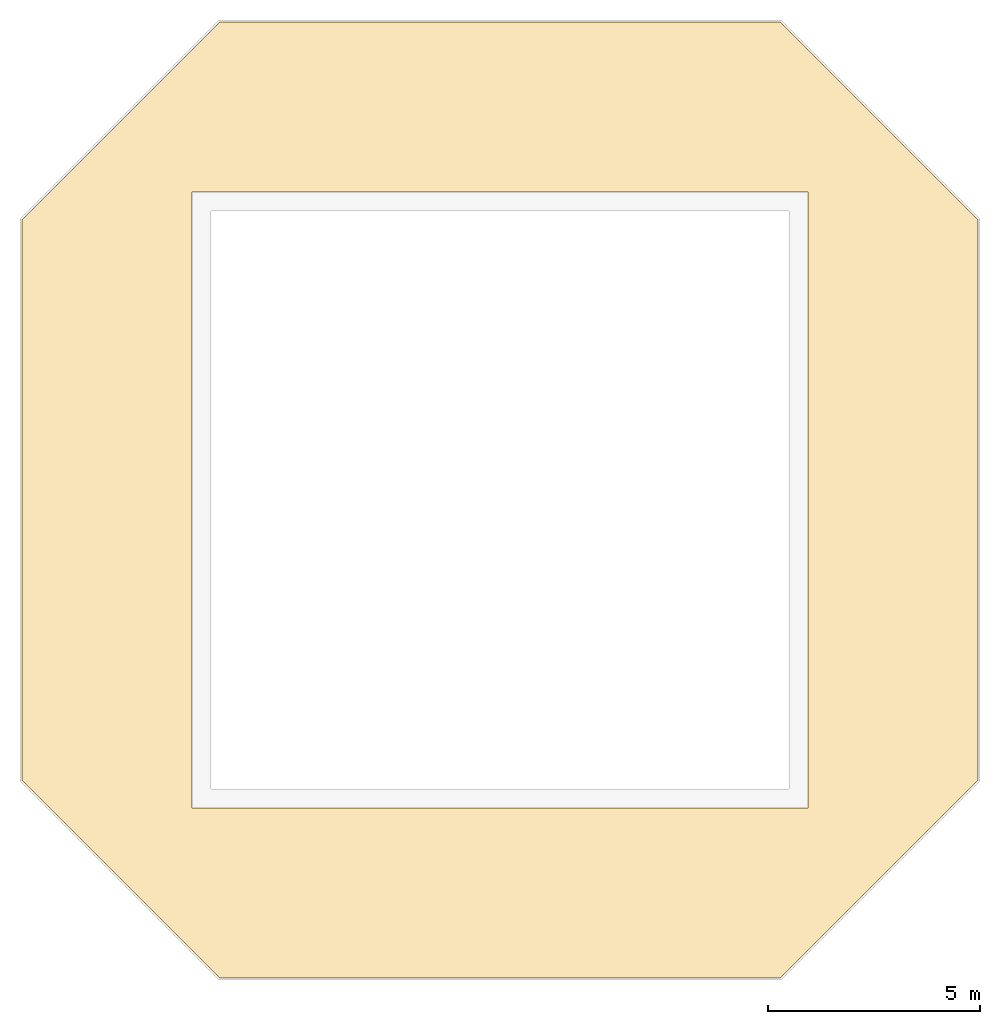
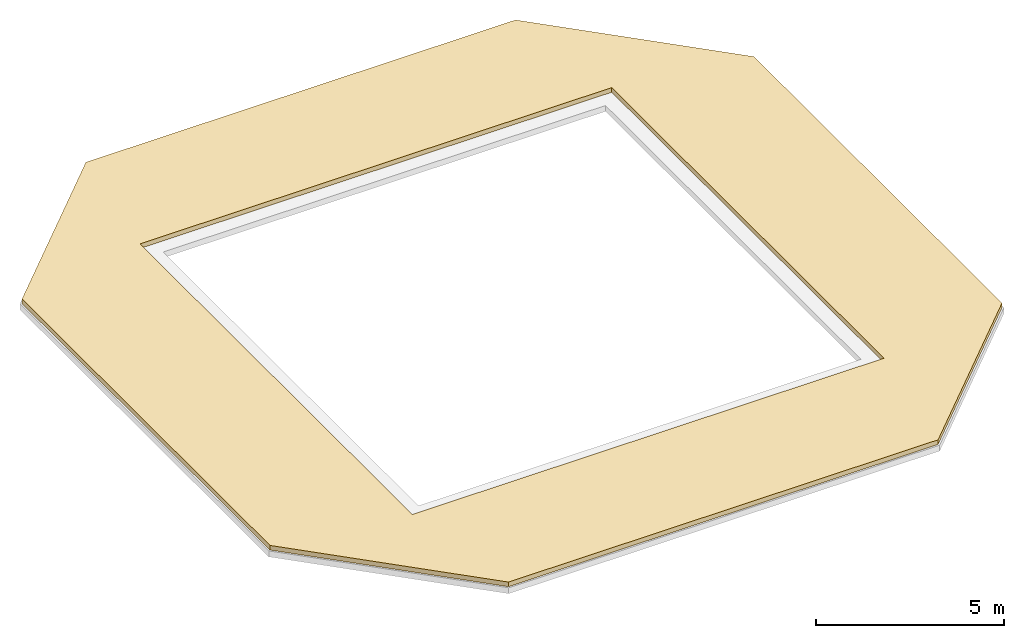
# One storey, part 2 of 2: 1 covering.
"""IFC4 building model written with IfcOpenShell, lengths in metres."""

from ifc_helpers import new_model, si_unit, direction, frame, origin, place, context, subcontext, project, spatial, polyline, outline, extrude, material, layer, layer_set, type_object, element, save


model = new_model("IFC4")

# Units and contexts
model_context = context("Model", 3, precision=1e-05, world=origin(), true_north=direction((0.0, 1.0)))
body_context = subcontext(model_context, "Body", "Model", "MODEL_VIEW")
ifc_project = project(units=[si_unit("LENGTHUNIT", "METRE"), si_unit("AREAUNIT", "SQUARE_METRE"), si_unit("VOLUMEUNIT", "CUBIC_METRE"), si_unit("PLANEANGLEUNIT", "RADIAN"), si_unit("MASSUNIT", "GRAM", prefix="KILO")], contexts=[model_context])

# Site, building, storey
site_placement = place(None, origin())
site = spatial("IfcSite", under=ifc_project, at=site_placement, CompositionType="ELEMENT")
building_placement = place(site_placement, origin())
building = spatial("IfcBuilding", under=site, at=building_placement, Name="Trevanion Tower", CompositionType="ELEMENT")
storey_placement = place(building_placement, frame((0.0, 0.0, 318.199951171875)))
storey = spatial("IfcBuildingStorey", under=building, at=storey_placement, Name="ROOF T1", CompositionType="ELEMENT", Elevation=318.199951171875)

# Covering
ifc_material = material(Name="TPO membrane on tapered polyisocyanurate insulation", Category="membrane")
ifc_layer = layer(ifc_material, 0.14990234375)
ifc_layer_set = layer_set([ifc_layer], Name="RF1 insulated membrane roofing 150")
covering_type = type_object("IfcCoveringType", Name="RF1 insulated membrane roofing 150", PredefinedType="ROOFING", material=ifc_layer_set)
covering_placement = place(storey_placement, origin())
element("IfcCovering", 1, at=covering_placement, inside=storey, type_object=covering_type, Name="RF1 crown tier 1 roof", PredefinedType="ROOFING", context=body_context, shape_type="SweptSolid", body=[
    extrude(outline(polyline([(6.603515625, -11.25), (-6.603515625, -11.25), (-11.25, -6.603515625), (-11.25, 6.603515625), (-6.603515625, 11.25), (6.603515625, 11.25), (11.25, 6.603515625), (11.25, -6.603515625), (6.603515625, -11.25)]), holes=[polyline([(7.25, 7.25), (-7.25, 7.25), (-7.25, -7.25), (7.25, -7.25), (7.25, 7.25)])]), origin(), (0.0, 0.0, 1.0), 0.150146484375),
])

save(model, "model.ifc")
